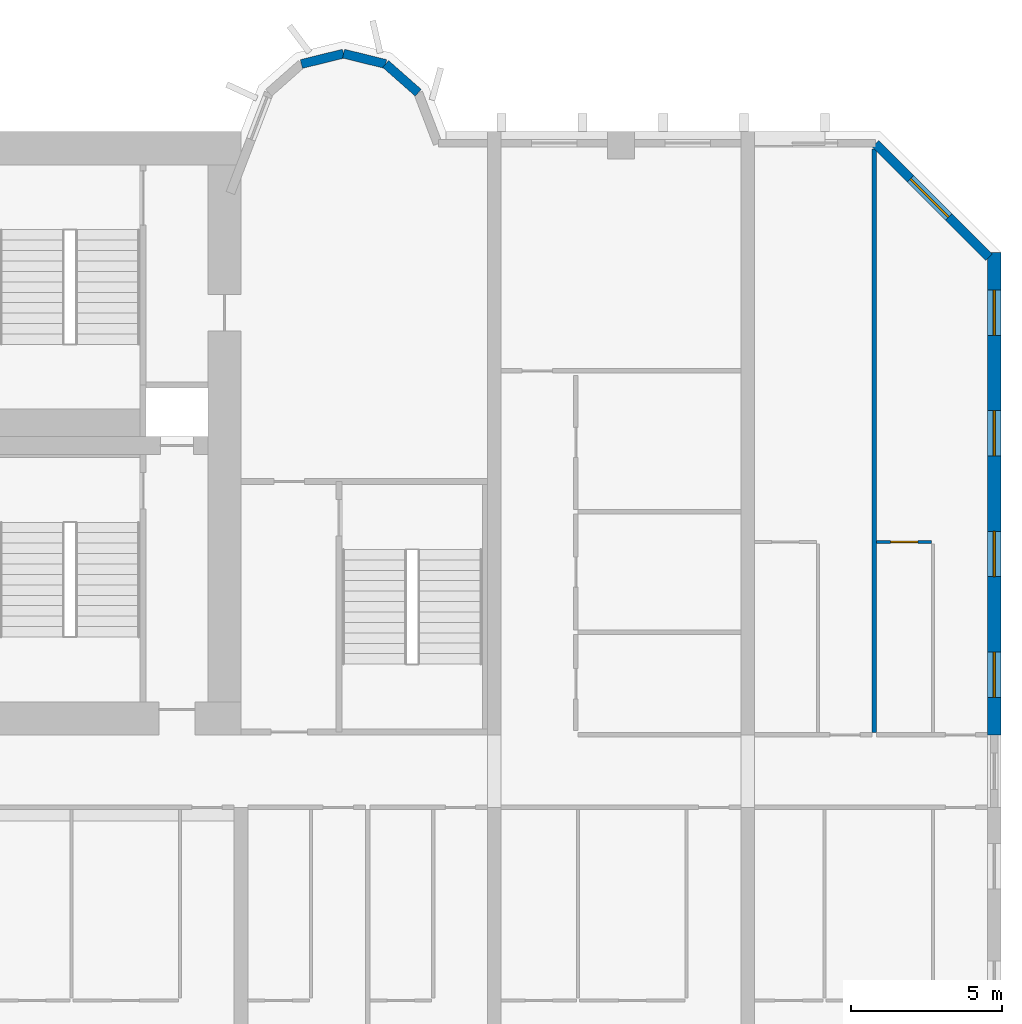
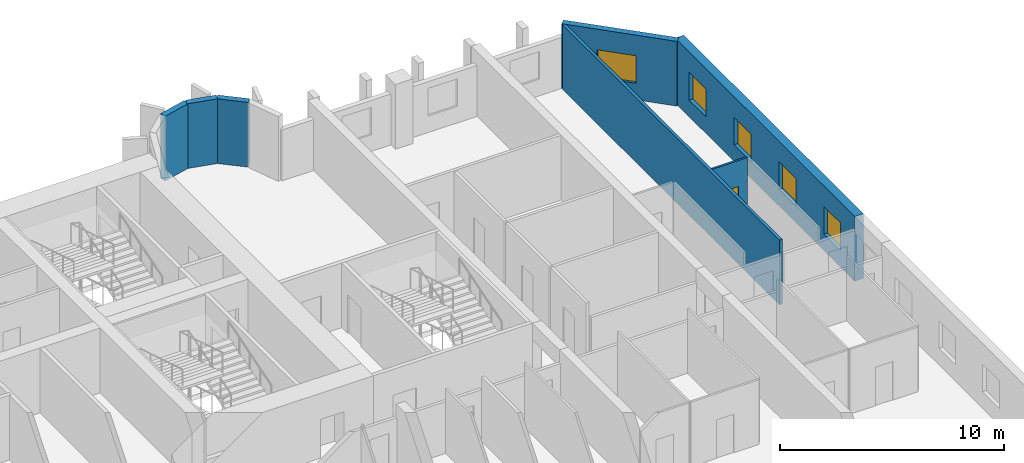
# One storey, part 11 of 15: 7 walls, 5 windows, 1 door, 6 openings.
"""IFC4 building model written with IfcOpenShell, lengths in metres."""

from ifc_helpers import new_model, si_unit, direction, frame, frame_2d, origin, place, context, subcontext, project, spatial, rectangle, extrude, source, transform, mapped, material, layer, layer_set, type_object, element, fill, save


model = new_model("IFC4")

# Units and contexts
model_context = context("Model", 3, precision=1e-05, world=origin(), true_north=direction((0.0, 1.0)))
body_context = subcontext(model_context, "Body", "Model", "MODEL_VIEW")
ifc_project = project(units=[si_unit("LENGTHUNIT", "METRE"), si_unit("AREAUNIT", "SQUARE_METRE"), si_unit("VOLUMEUNIT", "CUBIC_METRE"), si_unit("PLANEANGLEUNIT", "RADIAN"), si_unit("MASSUNIT", "GRAM", prefix="KILO")], contexts=[model_context])

# Site, building, storey
site_placement = place(None, origin())
site = spatial("IfcSite", under=ifc_project, at=site_placement, CompositionType="ELEMENT")
building_placement = place(site_placement, origin())
building = spatial("IfcBuilding", under=site, at=building_placement, Name="Vanashikhar Sky Hotel", CompositionType="ELEMENT")
storey_placement = place(building_placement, frame((0.0, 0.0, 39.199951171875)))
storey = spatial("IfcBuildingStorey", under=building, at=storey_placement, Name="L08", CompositionType="ELEMENT", Elevation=39.199951171875)

# Wall, openings, windows
ifc_material_1 = material(Name="Concrete M80", Category="concrete")
ifc_layer_1 = layer(ifc_material_1, 0.449951171875)
ifc_layer_set_1 = layer_set([ifc_layer_1], Name="RC shear wall 450 Concrete M80")
wall_type_1 = type_object("IfcWallType", Name="RC shear wall 450 Concrete M80", PredefinedType="SHEAR", material=ifc_layer_set_1)
shared_shape_1 = source(origin(), body_context, "Body", "SweptSolid", [
    extrude(rectangle(XDim=16.0, YDim=0.449951171875, at=frame_2d((8.0, 0.0))), origin(), (0.0, 0.0, 1.0), 3.52001953125),
])
wall_1_placement = place(storey_placement, frame((100.574951171875, 22.0, 0.0), z_axis=(0.0, 0.0, 1.0), x_axis=(0.0, 1.0, 0.0)))
wall_1 = element("IfcWall", 1, at=wall_1_placement, inside=storey, type_object=wall_type_1, Name="CW-L08-XW13-2", PredefinedType="SHEAR", context=body_context, shape_type="MappedRepresentation", body=[
    mapped(shared_shape_1, transform((0.0, 0.0, 0.0), scale=1.0)),
])
shared_shape_2 = source(origin(), body_context, "Body", "SweptSolid", [
    extrude(rectangle(XDim=1.5, YDim=1.5, at=frame_2d((0.75, 0.75))), frame((0.0, 0.23486328125, 0.0), z_axis=(0.0, -1.0, 0.0), x_axis=(1.0, 0.0, 0.0)), (0.0, 0.0, 1.0), 0.469970703125),
])
opening_1_placement = place(wall_1_placement, frame((1.25, 0.0, 0.89990234375)))
opening_1 = element("IfcOpeningElement", 2, at=opening_1_placement, cuts=wall_1, Name="Opening WN-1", PredefinedType="OPENING", context=body_context, shape_type="MappedRepresentation", body=[
    mapped(shared_shape_2, transform((0.0, 0.0, 0.0), scale=1.0)),
])
opening_2_placement = place(wall_1_placement, frame((5.25, 0.0, 0.89990234375)))
opening_2 = element("IfcOpeningElement", 3, at=opening_2_placement, cuts=wall_1, Name="Opening WN-1", PredefinedType="OPENING", context=body_context, shape_type="MappedRepresentation", body=[
    mapped(shared_shape_2, transform((0.0, 0.0, 0.0), scale=1.0)),
])
opening_3_placement = place(wall_1_placement, frame((9.25, 0.0, 0.89990234375)))
opening_3 = element("IfcOpeningElement", 4, at=opening_3_placement, cuts=wall_1, Name="Opening WN-1", PredefinedType="OPENING", context=body_context, shape_type="MappedRepresentation", body=[
    mapped(shared_shape_2, transform((0.0, 0.0, 0.0), scale=1.0)),
])
opening_4_placement = place(wall_1_placement, frame((13.25, 0.0, 0.89990234375)))
opening_4 = element("IfcOpeningElement", 5, at=opening_4_placement, cuts=wall_1, Name="Opening WN-1", PredefinedType="OPENING", context=body_context, shape_type="MappedRepresentation", body=[
    mapped(shared_shape_2, transform((0.0, 0.0, 0.0), scale=1.0)),
])
ifc_material_2 = material(Name="Glass", Category="glass")
window_type_1 = type_object("IfcWindowType", Name="Window 1500 x 1500", PartitioningType="SINGLE_PANEL", PredefinedType="WINDOW", material=ifc_material_2)
shared_shape_3 = source(origin(), body_context, "Body", "SweptSolid", [
    extrude(rectangle(XDim=1.5, YDim=1.5, at=frame_2d((0.75, 0.75))), frame((0.0, 0.030029296875, 0.0), z_axis=(0.0, -1.0, 0.0), x_axis=(1.0, 0.0, 0.0)), (0.0, 0.0, 1.0), 0.06005859375),
])
window_1_placement = place(opening_1_placement, origin())
window_1 = element("IfcWindow", 6, at=window_1_placement, inside=storey, type_object=window_type_1, Name="Window WN-1", OverallHeight=1.5, OverallWidth=1.5, PartitioningType="SINGLE_PANEL", PredefinedType="WINDOW", context=body_context, shape_type="MappedRepresentation", body=[
    mapped(shared_shape_3, transform((0.0, 0.0, 0.0), scale=1.0)),
])
fill(opening_1, window_1)
window_2_placement = place(opening_2_placement, origin())
window_2 = element("IfcWindow", 7, at=window_2_placement, inside=storey, type_object=window_type_1, Name="Window WN-1", OverallHeight=1.5, OverallWidth=1.5, PartitioningType="SINGLE_PANEL", PredefinedType="WINDOW", context=body_context, shape_type="MappedRepresentation", body=[
    mapped(shared_shape_3, transform((0.0, 0.0, 0.0), scale=1.0)),
])
fill(opening_2, window_2)
window_3_placement = place(opening_3_placement, origin())
window_3 = element("IfcWindow", 8, at=window_3_placement, inside=storey, type_object=window_type_1, Name="Window WN-1", OverallHeight=1.5, OverallWidth=1.5, PartitioningType="SINGLE_PANEL", PredefinedType="WINDOW", context=body_context, shape_type="MappedRepresentation", body=[
    mapped(shared_shape_3, transform((0.0, 0.0, 0.0), scale=1.0)),
])
fill(opening_3, window_3)
window_4_placement = place(opening_4_placement, origin())
window_4 = element("IfcWindow", 9, at=window_4_placement, inside=storey, type_object=window_type_1, Name="Window WN-1", OverallHeight=1.5, OverallWidth=1.5, PartitioningType="SINGLE_PANEL", PredefinedType="WINDOW", context=body_context, shape_type="MappedRepresentation", body=[
    mapped(shared_shape_3, transform((0.0, 0.0, 0.0), scale=1.0)),
])
fill(opening_4, window_4)

# Wall, opening, window
ifc_material_3 = material(Name="Concrete M50", Category="concrete")
ifc_layer_2 = layer(ifc_material_3, 0.300048828125)
ifc_layer_set_2 = layer_set([ifc_layer_2], Name="Lobe wall 300")
wall_type_2 = type_object("IfcWallType", Name="Lobe wall 300", PredefinedType="SOLIDWALL", material=ifc_layer_set_2)
shared_shape_4 = source(origin(), body_context, "Body", "SweptSolid", [
    extrude(rectangle(XDim=5.32568359375, YDim=0.300048828125, at=frame_2d((2.662841796875, 0.0))), origin(), (0.0, 0.0, 1.0), 3.52001953125),
])
wall_2_placement = place(storey_placement, frame((100.39990234375, 37.834228515625, 0.0), z_axis=(0.0, 0.0, 1.0), x_axis=(-0.707083859269, 0.707129702361, 0.0)))
wall_2 = element("IfcWall", 10, at=wall_2_placement, inside=storey, type_object=wall_type_2, Name="Corner wall", PredefinedType="SOLIDWALL", context=body_context, shape_type="MappedRepresentation", body=[
    mapped(shared_shape_4, transform((0.0, 0.0, 0.0), scale=1.0)),
])
shared_shape_5 = source(origin(), body_context, "Body", "SweptSolid", [
    extrude(rectangle(XDim=1.800048828125, YDim=1.5, at=frame_2d((0.89990234375, 0.75))), frame((0.0, 0.16015625, 0.0), z_axis=(0.0, -1.0, 0.0), x_axis=(1.0, 0.0, 0.0)), (0.0, 0.0, 1.0), 0.320068359375),
])
opening_5_placement = place(wall_2_placement, frame((1.888916015625, 0.0, 0.89990234375)))
opening_5 = element("IfcOpeningElement", 11, at=opening_5_placement, cuts=wall_2, Name="Opening WN-4", PredefinedType="OPENING", context=body_context, shape_type="MappedRepresentation", body=[
    mapped(shared_shape_5, transform((0.0, 0.0, 0.0), scale=1.0)),
])
window_type_2 = type_object("IfcWindowType", Name="Corner window 1800 x 1500", PartitioningType="SINGLE_PANEL", PredefinedType="WINDOW", material=ifc_material_2)
shared_shape_6 = source(origin(), body_context, "Body", "SweptSolid", [
    extrude(rectangle(XDim=1.800048828125, YDim=1.5, at=frame_2d((0.89990234375, 0.75))), frame((0.0, 0.030029296875, 0.0), z_axis=(0.0, -1.0, 0.0), x_axis=(1.0, 0.0, 0.0)), (0.0, 0.0, 1.0), 0.06005859375),
])
window_5_placement = place(opening_5_placement, origin())
window_5 = element("IfcWindow", 12, at=window_5_placement, inside=storey, type_object=window_type_2, Name="Window WN-4", OverallHeight=1.5, OverallWidth=1.800048828125, PartitioningType="SINGLE_PANEL", PredefinedType="WINDOW", context=body_context, shape_type="MappedRepresentation", body=[
    mapped(shared_shape_6, transform((0.0, 0.0, 0.0), scale=1.0)),
])
fill(opening_5, window_5)

# Walls
shared_shape_7 = source(origin(), body_context, "Body", "SweptSolid", [
    extrude(rectangle(XDim=1.438720703125, YDim=0.300048828125, at=frame_2d((0.71923828125, 0.0))), origin(), (0.0, 0.0, 1.0), 3.52001953125),
])
for number, where, z_axis, x_axis, name in (
    (13, (80.397216796875, 44.2451171875, 0.0), (0.0, 0.0, 1.0), (-0.971161932466, 0.238420848351, 0.0), "Lobe wall"),
    (14, (79.0, 44.588134765625, 0.0), (0.0, 0.0, 1.0), (-0.971161932466, -0.238420848351, 0.0), "Lobe wall"),
):
    element("IfcWall", number, at=place(storey_placement, frame(where, z_axis=z_axis, x_axis=x_axis)), inside=storey, type_object=wall_type_2, Name=name, PredefinedType="SOLIDWALL", context=body_context, shape_type="MappedRepresentation", body=[
        mapped(shared_shape_7, transform((0.0, 0.0, 0.0), scale=1.0)),
    ])
shared_shape_8 = source(origin(), body_context, "Body", "SweptSolid", [
    extrude(rectangle(XDim=1.43994140625, YDim=0.300048828125, at=frame_2d((0.719970703125, 0.0))), origin(), (0.0, 0.0, 1.0), 3.52001953125),
])
wall_3_placement = place(storey_placement, frame((81.4765625, 43.2919921875, 0.0), z_axis=(0.0, 0.0, 1.0), x_axis=(-0.74957555648, 0.661918790432, 0.0)))
element("IfcWall", 15, at=wall_3_placement, inside=storey, type_object=wall_type_2, Name="Lobe wall", PredefinedType="SOLIDWALL", context=body_context, shape_type="MappedRepresentation", body=[
    mapped(shared_shape_8, transform((0.0, 0.0, 0.0), scale=1.0)),
])

# Wall, opening, door
ifc_material_4 = material(Name="Gypsum plasterboard partition")
ifc_layer_3 = layer(ifc_material_4, 0.10009765625)
ifc_layer_set_3 = layer_set([ifc_layer_3], Name="Wet room partition 100")
wall_type_3 = type_object("IfcWallType", Name="Wet room partition 100", PredefinedType="PARTITIONING", material=ifc_layer_set_3)
shared_shape_9 = source(origin(), body_context, "Body", "SweptSolid", [
    extrude(rectangle(XDim=1.824951171875, YDim=0.10009765625, at=frame_2d((0.91259765625, 0.0))), origin(), (0.0, 0.0, 1.0), 3.52001953125),
])
wall_4_placement = place(storey_placement, frame((96.675048828125, 28.39990234375, 0.0), z_axis=(0.0, 0.0, 1.0), x_axis=(1.0, 0.0, 0.0)))
wall_4 = element("IfcWall", 16, at=wall_4_placement, inside=storey, type_object=wall_type_3, Name="W-L08-PW093", PredefinedType="PARTITIONING", context=body_context, shape_type="MappedRepresentation", body=[
    mapped(shared_shape_9, transform((0.0, 0.0, 0.0), scale=1.0)),
])
shared_shape_10 = source(origin(), body_context, "Body", "SweptSolid", [
    extrude(rectangle(XDim=0.89990234375, YDim=2.10009765625, at=frame_2d((0.449951171875, 1.050048828125))), frame((0.0, 0.06005859375, 0.0), z_axis=(0.0, -1.0, 0.0), x_axis=(1.0, 0.0, 0.0)), (0.0, 0.0, 1.0), 0.1201171875),
])
opening_6_placement = place(wall_4_placement, frame((0.462890625, 0.0, 0.0)))
opening_6 = element("IfcOpeningElement", 17, at=opening_6_placement, cuts=wall_4, Name="Opening D-02", PredefinedType="OPENING", context=body_context, shape_type="MappedRepresentation", body=[
    mapped(shared_shape_10, transform((0.0, 0.0, 0.0), scale=1.0)),
])
ifc_material_5 = material(Name="Timber door", Category="wood")
door_type = type_object("IfcDoorType", Name="Internal door 900", OperationType="NOTDEFINED", PredefinedType="DOOR", material=ifc_material_5)
shared_shape_11 = source(origin(), body_context, "Body", "SweptSolid", [
    extrude(rectangle(XDim=0.89990234375, YDim=2.10009765625, at=frame_2d((0.449951171875, 1.050048828125))), frame((0.0, 0.02490234375, 0.0), z_axis=(0.0, -1.0, 0.0), x_axis=(1.0, 0.0, 0.0)), (0.0, 0.0, 1.0), 0.050048828125),
])
door_placement = place(opening_6_placement, origin())
door = element("IfcDoor", 18, at=door_placement, inside=storey, type_object=door_type, Name="D-L08-054", OperationType="SINGLE_SWING_RIGHT", OverallHeight=2.10009765625, OverallWidth=0.89990234375, PredefinedType="DOOR", context=body_context, shape_type="MappedRepresentation", body=[
    mapped(shared_shape_11, transform((0.0, 0.0, 0.0), scale=1.0)),
])
fill(opening_6, door)

# Wall
ifc_layer_4 = layer(ifc_material_4, 0.14990234375)
ifc_layer_set_4 = layer_set([ifc_layer_4], Name="Corridor and demising partition 150")
wall_type_4 = type_object("IfcWallType", Name="Corridor and demising partition 150", PredefinedType="PARTITIONING", material=ifc_layer_set_4)
shared_shape_12 = source(origin(), body_context, "Body", "SweptSolid", [
    extrude(rectangle(XDim=19.34716796875, YDim=0.14990234375, at=frame_2d((9.673583984375, 0.0))), origin(), (0.0, 0.0, 1.0), 3.52001953125),
])
wall_5_placement = place(storey_placement, frame((96.60009765625, 22.074951171875, 0.0), z_axis=(0.0, 0.0, 1.0), x_axis=(0.0, 1.0, 0.0)))
element("IfcWall", 19, at=wall_5_placement, inside=storey, type_object=wall_type_4, Name="W-L08-PW095", PredefinedType="PARTITIONING", context=body_context, shape_type="MappedRepresentation", body=[
    mapped(shared_shape_12, transform((0.0, 0.0, 0.0), scale=1.0)),
])

save(model, "model.ifc")
